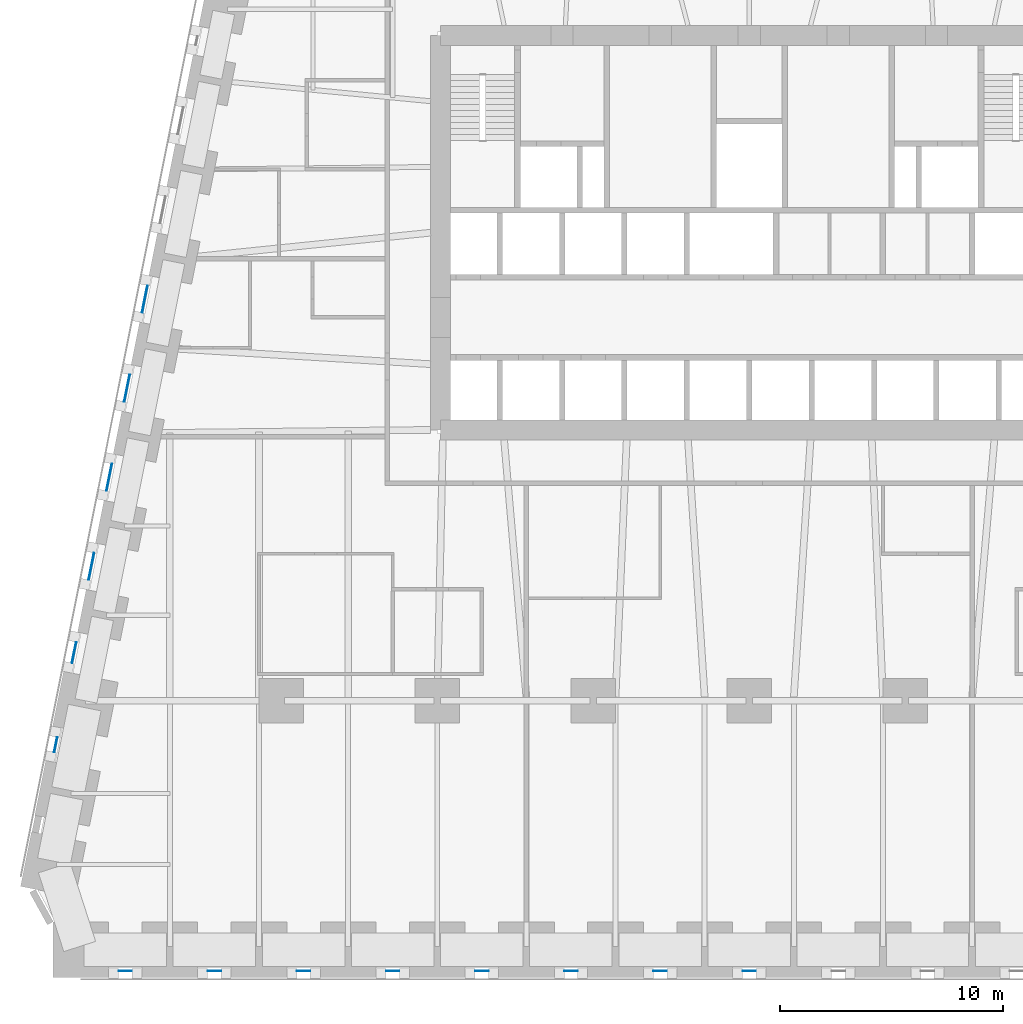
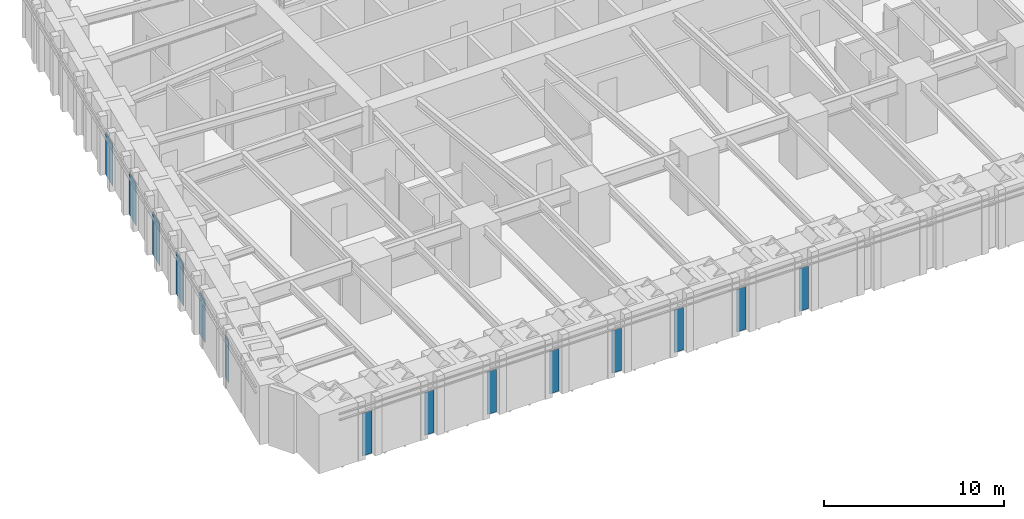
# One storey, part 7 of 16: 14 plates, 14 elements without a shape of their own.
"""IFC4 building model written with IfcOpenShell, lengths in metres."""

from ifc_helpers import new_model, si_unit, direction, frame, origin, origin_2d, place, context, subcontext, project, spatial, rectangle, extrude, material, layer, layer_set, type_object, element, aggregate, save


model = new_model("IFC4")

# Units and contexts
model_context = context("Model", 3, precision=1e-05, world=origin(), true_north=direction((0.0, 1.0)))
body_context = subcontext(model_context, "Body", "Model", "MODEL_VIEW")
ifc_project = project(units=[si_unit("LENGTHUNIT", "METRE"), si_unit("AREAUNIT", "SQUARE_METRE"), si_unit("VOLUMEUNIT", "CUBIC_METRE"), si_unit("PLANEANGLEUNIT", "RADIAN"), si_unit("MASSUNIT", "GRAM", prefix="KILO")], contexts=[model_context])

# Site, building, storey
site_placement = place(None, origin())
site = spatial("IfcSite", under=ifc_project, at=site_placement, CompositionType="ELEMENT")
building_placement = place(site_placement, origin())
building = spatial("IfcBuilding", under=site, at=building_placement, Name="Isbrekke Arena Tower", CompositionType="ELEMENT")
storey_placement = place(building_placement, frame((0.0, 0.0, 44.0)))
storey = spatial("IfcBuildingStorey", under=building, at=storey_placement, Name="L08", CompositionType="ELEMENT", Elevation=44.0)

# Curtain wall, plate
ifc_material_1 = material(Name="Glazed aluminium curtain wall", Category="aluminium")
curtain_wall_type = type_object("IfcCurtainWallType", Name="CWL TOWER CURTAIN WALL LOW ZONE", PredefinedType="USERDEFINED", material=ifc_material_1)
curtain_wall_1_placement = place(storey_placement, origin())
curtain_wall_1 = element("IfcCurtainWall", 1, at=curtain_wall_1_placement, inside=storey, type_object=curtain_wall_type, Name="CWL curtain wall L08-S", ObjectType="TOWER CURTAIN WALL LOW ZONE", PredefinedType="USERDEFINED")
ifc_material_2 = material(Name="Triple-glazed clear glass unit", Category="glass")
ifc_layer = layer(ifc_material_2, 0.031982421875)
ifc_layer_set = layer_set([ifc_layer], Name="CWL-P VISION PANEL")
plate_type = type_object("IfcPlateType", Name="CWL-P VISION PANEL", PredefinedType="CURTAIN_PANEL", material=ifc_layer_set)
plate_1_placement = place(storey_placement, frame((-28.0009765625, -18.125, 0.02001953125), z_axis=(0.0, 0.0, 1.0), x_axis=(1.0, 0.0, 0.0)))
plate_1 = element("IfcPlate", 2, at=plate_1_placement, type_object=plate_type, Name="CWL-P panel 1", PredefinedType="CURTAIN_PANEL", context=body_context, shape_type="SweptSolid", body=[
    extrude(rectangle(XDim=0.60205078125, YDim=0.031982421875, at=origin_2d()), origin(), (0.0, 0.0, 1.0), 2.8798828125),
])
aggregate(curtain_wall_1, [plate_1])

curtain_wall_2_placement = place(storey_placement, origin())
curtain_wall_2 = element("IfcCurtainWall", 3, at=curtain_wall_2_placement, inside=storey, type_object=curtain_wall_type, Name="CWL curtain wall L08-S3", ObjectType="TOWER CURTAIN WALL LOW ZONE", PredefinedType="USERDEFINED")
plate_2_placement = place(storey_placement, frame((-24.0, -18.125, 0.02001953125), z_axis=(0.0, 0.0, 1.0), x_axis=(1.0, 0.0, 0.0)))
plate_2 = element("IfcPlate", 4, at=plate_2_placement, type_object=plate_type, Name="CWL-P panel 1", PredefinedType="CURTAIN_PANEL", context=body_context, shape_type="SweptSolid", body=[
    extrude(rectangle(XDim=0.60009765625, YDim=0.031982421875, at=origin_2d()), origin(), (0.0, 0.0, 1.0), 2.8798828125),
])
aggregate(curtain_wall_2, [plate_2])

curtain_wall_3_placement = place(storey_placement, origin())
curtain_wall_3 = element("IfcCurtainWall", 5, at=curtain_wall_3_placement, inside=storey, type_object=curtain_wall_type, Name="CWL curtain wall L08-S5", ObjectType="TOWER CURTAIN WALL LOW ZONE", PredefinedType="USERDEFINED")
plate_3_placement = place(storey_placement, frame((-20.0, -18.125, 0.02001953125), z_axis=(0.0, 0.0, 1.0), x_axis=(1.0, 0.0, 0.0)))
plate_3 = element("IfcPlate", 6, at=plate_3_placement, type_object=plate_type, Name="CWL-P panel 1", PredefinedType="CURTAIN_PANEL", context=body_context, shape_type="SweptSolid", body=[
    extrude(rectangle(XDim=0.60009765625, YDim=0.031982421875, at=origin_2d()), origin(), (0.0, 0.0, 1.0), 2.8798828125),
])
aggregate(curtain_wall_3, [plate_3])

curtain_wall_4_placement = place(storey_placement, origin())
curtain_wall_4 = element("IfcCurtainWall", 7, at=curtain_wall_4_placement, inside=storey, type_object=curtain_wall_type, Name="CWL curtain wall L08-S7", ObjectType="TOWER CURTAIN WALL LOW ZONE", PredefinedType="USERDEFINED")
plate_4_placement = place(storey_placement, frame((-16.0, -18.125, 0.02001953125), z_axis=(0.0, 0.0, 1.0), x_axis=(1.0, 0.0, 0.0)))
plate_4 = element("IfcPlate", 8, at=plate_4_placement, type_object=plate_type, Name="CWL-P panel 1", PredefinedType="CURTAIN_PANEL", context=body_context, shape_type="SweptSolid", body=[
    extrude(rectangle(XDim=0.60009765625, YDim=0.031982421875, at=origin_2d()), origin(), (0.0, 0.0, 1.0), 2.8798828125),
])
aggregate(curtain_wall_4, [plate_4])

curtain_wall_5_placement = place(storey_placement, origin())
curtain_wall_5 = element("IfcCurtainWall", 9, at=curtain_wall_5_placement, inside=storey, type_object=curtain_wall_type, Name="CWL curtain wall L08-S9", ObjectType="TOWER CURTAIN WALL LOW ZONE", PredefinedType="USERDEFINED")
plate_5_placement = place(storey_placement, frame((-12.0, -18.125, 0.02001953125), z_axis=(0.0, 0.0, 1.0), x_axis=(1.0, 0.0, 0.0)))
plate_5 = element("IfcPlate", 10, at=plate_5_placement, type_object=plate_type, Name="CWL-P panel 1", PredefinedType="CURTAIN_PANEL", context=body_context, shape_type="SweptSolid", body=[
    extrude(rectangle(XDim=0.60009765625, YDim=0.031982421875, at=origin_2d()), origin(), (0.0, 0.0, 1.0), 2.8798828125),
])
aggregate(curtain_wall_5, [plate_5])

curtain_wall_6_placement = place(storey_placement, origin())
curtain_wall_6 = element("IfcCurtainWall", 11, at=curtain_wall_6_placement, inside=storey, type_object=curtain_wall_type, Name="CWL curtain wall L08-S11", ObjectType="TOWER CURTAIN WALL LOW ZONE", PredefinedType="USERDEFINED")
plate_6_placement = place(storey_placement, frame((-8.0, -18.125, 0.02001953125), z_axis=(0.0, 0.0, 1.0), x_axis=(1.0, 0.0, 0.0)))
plate_6 = element("IfcPlate", 12, at=plate_6_placement, type_object=plate_type, Name="CWL-P panel 1", PredefinedType="CURTAIN_PANEL", context=body_context, shape_type="SweptSolid", body=[
    extrude(rectangle(XDim=0.60009765625, YDim=0.031982421875, at=origin_2d()), origin(), (0.0, 0.0, 1.0), 2.8798828125),
])
aggregate(curtain_wall_6, [plate_6])

curtain_wall_7_placement = place(storey_placement, origin())
curtain_wall_7 = element("IfcCurtainWall", 13, at=curtain_wall_7_placement, inside=storey, type_object=curtain_wall_type, Name="CWL curtain wall L08-S13", ObjectType="TOWER CURTAIN WALL LOW ZONE", PredefinedType="USERDEFINED")
plate_7_placement = place(storey_placement, frame((-4.0, -18.125, 0.02001953125), z_axis=(0.0, 0.0, 1.0), x_axis=(1.0, 0.0, 0.0)))
plate_7 = element("IfcPlate", 14, at=plate_7_placement, type_object=plate_type, Name="CWL-P panel 1", PredefinedType="CURTAIN_PANEL", context=body_context, shape_type="SweptSolid", body=[
    extrude(rectangle(XDim=0.60009765625, YDim=0.031982421875, at=origin_2d()), origin(), (0.0, 0.0, 1.0), 2.8798828125),
])
aggregate(curtain_wall_7, [plate_7])

curtain_wall_8_placement = place(storey_placement, origin())
curtain_wall_8 = element("IfcCurtainWall", 15, at=curtain_wall_8_placement, inside=storey, type_object=curtain_wall_type, Name="CWL curtain wall L08-S15", ObjectType="TOWER CURTAIN WALL LOW ZONE", PredefinedType="USERDEFINED")
plate_8_placement = place(storey_placement, frame((0.0, -18.125, 0.02001953125), z_axis=(0.0, 0.0, 1.0), x_axis=(1.0, 0.0, 0.0)))
plate_8 = element("IfcPlate", 16, at=plate_8_placement, type_object=plate_type, Name="CWL-P panel 1", PredefinedType="CURTAIN_PANEL", context=body_context, shape_type="SweptSolid", body=[
    extrude(rectangle(XDim=0.60009765625, YDim=0.031982421875, at=origin_2d()), origin(), (0.0, 0.0, 1.0), 2.8798828125),
])
aggregate(curtain_wall_8, [plate_8])

curtain_wall_9_placement = place(storey_placement, origin())
curtain_wall_9 = element("IfcCurtainWall", 17, at=curtain_wall_9_placement, inside=storey, type_object=curtain_wall_type, Name="CWL curtain wall L08-W7", ObjectType="TOWER CURTAIN WALL LOW ZONE", PredefinedType="USERDEFINED")
plate_9_placement = place(storey_placement, frame((-27.12255859375, 12.0244140625, 0.02001953125), z_axis=(0.0, 0.0, 1.0), x_axis=(-0.196116135138, -0.980580675691, 0.0)))
plate_9 = element("IfcPlate", 18, at=plate_9_placement, type_object=plate_type, Name="CWL-P panel 1", PredefinedType="CURTAIN_PANEL", context=body_context, shape_type="SweptSolid", body=[
    extrude(rectangle(XDim=1.229248046875, YDim=0.031982421875, at=origin_2d()), origin(), (0.0, 0.0, 1.0), 2.8798828125),
])
aggregate(curtain_wall_9, [plate_9])

curtain_wall_10_placement = place(storey_placement, origin())
curtain_wall_10 = element("IfcCurtainWall", 19, at=curtain_wall_10_placement, inside=storey, type_object=curtain_wall_type, Name="CWL curtain wall L08-W9", ObjectType="TOWER CURTAIN WALL LOW ZONE", PredefinedType="USERDEFINED")
plate_10_placement = place(storey_placement, frame((-27.922607421875, 8.0244140625, 0.02001953125), z_axis=(0.0, 0.0, 1.0), x_axis=(-0.196116135138, -0.980580675691, 0.0)))
plate_10 = element("IfcPlate", 20, at=plate_10_placement, type_object=plate_type, Name="CWL-P panel 1", PredefinedType="CURTAIN_PANEL", context=body_context, shape_type="SweptSolid", body=[
    extrude(rectangle(XDim=1.229248046875, YDim=0.031982421875, at=origin_2d()), origin(), (0.0, 0.0, 1.0), 2.8798828125),
])
aggregate(curtain_wall_10, [plate_10])

curtain_wall_11_placement = place(storey_placement, origin())
curtain_wall_11 = element("IfcCurtainWall", 21, at=curtain_wall_11_placement, inside=storey, type_object=curtain_wall_type, Name="CWL curtain wall L08-W11", ObjectType="TOWER CURTAIN WALL LOW ZONE", PredefinedType="USERDEFINED")
plate_11_placement = place(storey_placement, frame((-28.72265625, 4.0244140625, 0.02001953125), z_axis=(0.0, 0.0, 1.0), x_axis=(-0.196116135138, -0.980580675691, 0.0)))
plate_11 = element("IfcPlate", 22, at=plate_11_placement, type_object=plate_type, Name="CWL-P panel 1", PredefinedType="CURTAIN_PANEL", context=body_context, shape_type="SweptSolid", body=[
    extrude(rectangle(XDim=1.229248046875, YDim=0.031982421875, at=origin_2d()), origin(), (0.0, 0.0, 1.0), 2.8798828125),
])
aggregate(curtain_wall_11, [plate_11])

curtain_wall_12_placement = place(storey_placement, origin())
curtain_wall_12 = element("IfcCurtainWall", 23, at=curtain_wall_12_placement, inside=storey, type_object=curtain_wall_type, Name="CWL curtain wall L08-W13", ObjectType="TOWER CURTAIN WALL LOW ZONE", PredefinedType="USERDEFINED")
plate_12_placement = place(storey_placement, frame((-29.5224609375, 0.0244140625, 0.02001953125), z_axis=(0.0, 0.0, 1.0), x_axis=(-0.196116135138, -0.980580675691, 0.0)))
plate_12 = element("IfcPlate", 24, at=plate_12_placement, type_object=plate_type, Name="CWL-P panel 1", PredefinedType="CURTAIN_PANEL", context=body_context, shape_type="SweptSolid", body=[
    extrude(rectangle(XDim=1.229248046875, YDim=0.031982421875, at=origin_2d()), origin(), (0.0, 0.0, 1.0), 2.8798828125),
])
aggregate(curtain_wall_12, [plate_12])

curtain_wall_13_placement = place(storey_placement, origin())
curtain_wall_13 = element("IfcCurtainWall", 25, at=curtain_wall_13_placement, inside=storey, type_object=curtain_wall_type, Name="CWL curtain wall L08-W15", ObjectType="TOWER CURTAIN WALL LOW ZONE", PredefinedType="USERDEFINED")
plate_13_placement = place(storey_placement, frame((-30.295654296875, -3.840576171875, 0.02001953125), z_axis=(0.0, 0.0, 1.0), x_axis=(-0.196116135138, -0.980580675691, 0.0)))
plate_13 = element("IfcPlate", 26, at=plate_13_placement, type_object=plate_type, Name="CWL-P panel 1", PredefinedType="CURTAIN_PANEL", context=body_context, shape_type="SweptSolid", body=[
    extrude(rectangle(XDim=0.9541015625, YDim=0.031982421875, at=origin_2d()), origin(), (0.0, 0.0, 1.0), 2.8798828125),
])
aggregate(curtain_wall_13, [plate_13])

curtain_wall_14_placement = place(storey_placement, origin())
curtain_wall_14 = element("IfcCurtainWall", 27, at=curtain_wall_14_placement, inside=storey, type_object=curtain_wall_type, Name="CWL curtain wall L08-W17", ObjectType="TOWER CURTAIN WALL LOW ZONE", PredefinedType="USERDEFINED")
plate_14_placement = place(storey_placement, frame((-31.12255859375, -7.9755859375, 0.02001953125), z_axis=(0.0, 0.0, 1.0), x_axis=(-0.196116135138, -0.980580675691, 0.0)))
plate_14 = element("IfcPlate", 28, at=plate_14_placement, type_object=plate_type, Name="CWL-P panel 1", PredefinedType="CURTAIN_PANEL", context=body_context, shape_type="SweptSolid", body=[
    extrude(rectangle(XDim=0.67919921875, YDim=0.031982421875, at=origin_2d()), origin(), (0.0, 0.0, 1.0), 2.8798828125),
])
aggregate(curtain_wall_14, [plate_14])

save(model, "model.ifc")
